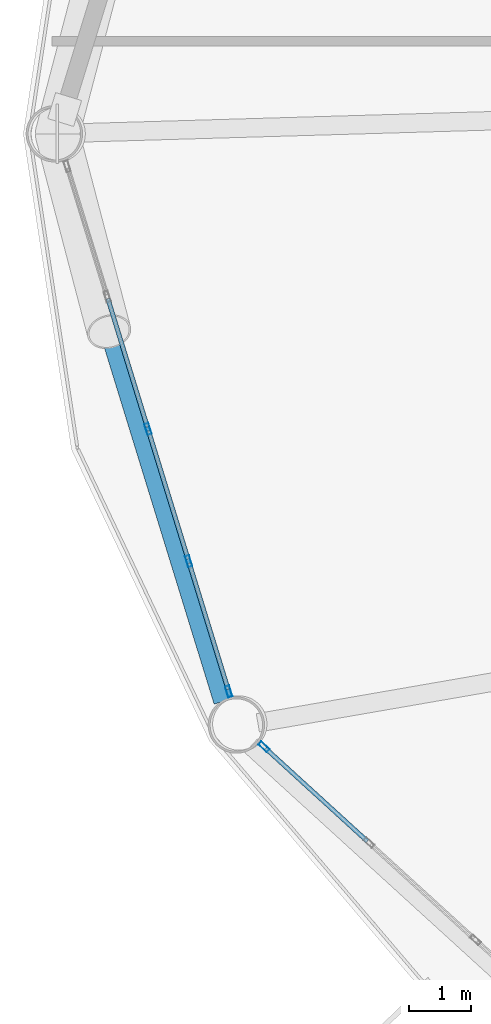
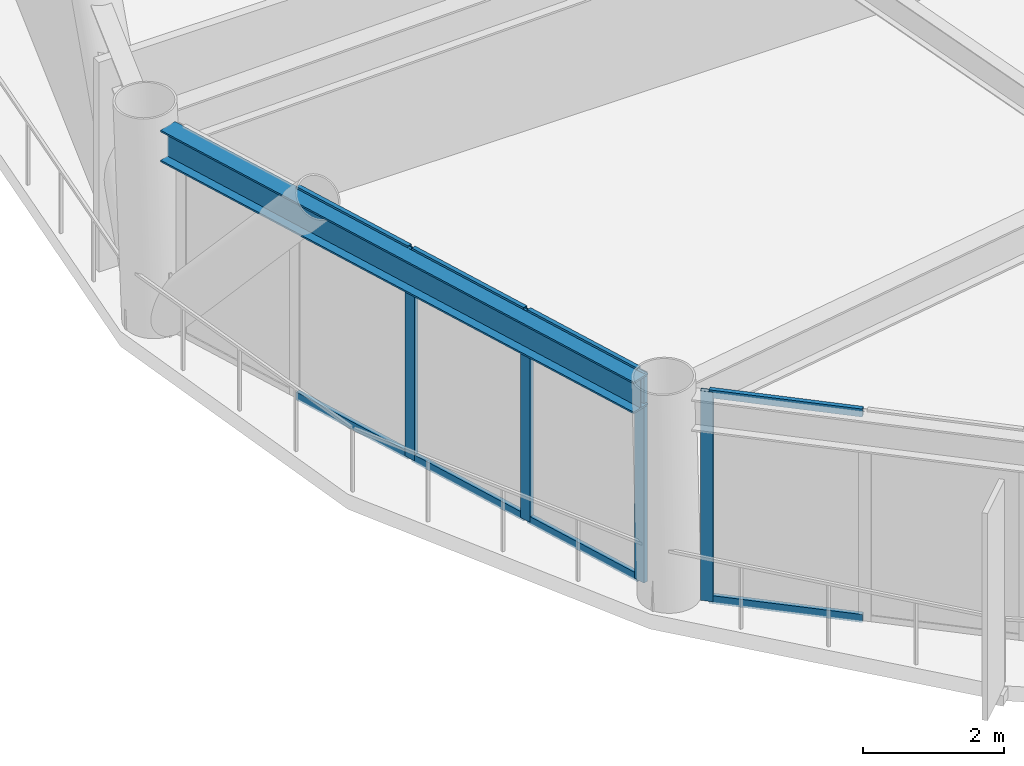
# One storey, part 5 of 26: 12 members, 1 beam, 2 elements without a shape of their own.
"""IFC4 building model written with IfcOpenShell, lengths in metres."""

import ifcopenshell
import ifcopenshell.guid

model = None  # the IFC model being written
_history = None  # IfcOwnerHistory: only IFC2X3 demands one
_inside = {}  # id of a spatial element -> (the spatial element, [elements in it])
_under = {}  # id of a project, library or spatial element -> (it, [spatial elements below it])
_declared = {}  # id of a project -> (the project, [libraries it declares])
_typed = {}  # id of a type object -> (the type object, [elements of that type])
_made_of = {}  # id of a material, layer set ... -> (it, [elements and type objects made of it])


def new_model(schema):
    """Start an empty IFC model of exactly this schema.

    Asked for "IFC4X3", IfcOpenShell would pick the latest addendum, in which some entities
    have other attributes; the version numbers below select the first issue.
    IFC2X3 requires an IfcOwnerHistory on every rooted entity: one is made here for all.
    """
    global model, _history
    if schema == "IFC4X3":
        model = ifcopenshell.file(schema_version=(4, 3, 0, 0))
    else:
        model = ifcopenshell.file(schema=schema)
    _inside.clear()
    _under.clear()
    _declared.clear()
    _typed.clear()
    _made_of.clear()
    _history = None
    if model.schema == "IFC2X3":
        org = make("IfcOrganization", Name="unknown")
        user = make(
            "IfcPersonAndOrganization",
            ThePerson=make("IfcPerson", FamilyName="unknown"),
            TheOrganization=org,
        )
        app = make(
            "IfcApplication",
            ApplicationDeveloper=org,
            Version="unknown",
            ApplicationFullName="unknown",
            ApplicationIdentifier="unknown",
        )
        _history = make(
            "IfcOwnerHistory",
            OwningUser=user,
            OwningApplication=app,
            ChangeAction="ADDED",
            CreationDate=0,
        )
    return model


def make(cls, **values):
    """One entity of the class cls with the attributes given. An attribute that is None is left unset."""
    return model.create_entity(
        cls, **{name: value for name, value in values.items() if value is not None}
    )


def rooted(cls, **values):
    """An entity with a GlobalId (a new one), such as an element, a storey or a relation."""
    return make(cls, GlobalId=ifcopenshell.guid.new(), OwnerHistory=_history, **values)


def si_unit(unit_type, name, prefix=None):
    """IfcSIUnit, for example si_unit("LENGTHUNIT", "METRE", prefix="MILLI")."""
    return make("IfcSIUnit", UnitType=unit_type, Prefix=prefix, Name=name)


def assignment(units):
    """IfcUnitAssignment: the units of a project."""
    return None if units is None else make("IfcUnitAssignment", Units=units)


def point(xyz):
    """IfcCartesianPoint."""
    return None if xyz is None else make("IfcCartesianPoint", Coordinates=xyz)


def direction(xyz):
    """IfcDirection."""
    return None if xyz is None else make("IfcDirection", DirectionRatios=xyz)


def frame(location, z_axis=None, x_axis=None):
    """IfcAxis2Placement3D, a coordinate frame: its origin and axes. An axis left out is left unset."""
    return make(
        "IfcAxis2Placement3D",
        Location=point(location),
        Axis=direction(z_axis),
        RefDirection=direction(x_axis),
    )


def frame_2d(location, x_axis=None):
    """IfcAxis2Placement2D, a coordinate frame in the plane: its origin and x axis."""
    return make(
        "IfcAxis2Placement2D", Location=point(location), RefDirection=direction(x_axis)
    )


def origin():
    """The frame at (0, 0, 0) with its axes left unset."""
    return frame((0.0, 0.0, 0.0))


def origin_2d():
    """The frame at (0, 0) in the plane with its x axis left unset."""
    return frame_2d((0.0, 0.0))


def place(relative_to, where):
    """IfcLocalPlacement: puts the frame where relative to a parent placement (None: the world)."""
    return make(
        "IfcLocalPlacement", PlacementRelTo=relative_to, RelativePlacement=where
    )


def context(
    kind, dimensions, precision=None, world=None, true_north=None, identifier=None
):
    """IfcGeometricRepresentationContext, for example the 3D "Model" context."""
    return make(
        "IfcGeometricRepresentationContext",
        ContextIdentifier=identifier,
        ContextType=kind,
        CoordinateSpaceDimension=dimensions,
        Precision=precision,
        WorldCoordinateSystem=world,
        TrueNorth=true_north,
    )


def subcontext(parent, identifier, kind, view, scale=None):
    """IfcGeometricRepresentationSubContext, for example "Body" below "Model"."""
    return make(
        "IfcGeometricRepresentationSubContext",
        ContextIdentifier=identifier,
        ContextType=kind,
        ParentContext=parent,
        TargetScale=scale,
        TargetView=view,
    )


def project(units=None, contexts=None):
    """IfcProject with its units and contexts."""
    return rooted(
        "IfcProject",
        Name="project",
        RepresentationContexts=contexts,
        UnitsInContext=assignment(units),
    )


def spatial(cls, under=None, at=None, **own):
    """A site, building, storey or space (cls), placed at a placement, below another one or the project."""
    s = rooted(cls, ObjectPlacement=at, **own)
    if under is not None:
        _under.setdefault(under.id(), (under, []))[1].append(s)
    return s


def profile(cls, at=None, kind="AREA", **sizes):
    """A parametric profile (cls). Its sizes go by their IFC names, for example OverallWidth=200.0."""
    return make(cls, ProfileType=kind, Position=at, **sizes)


def hollow_rectangle(**sizes):
    """IfcRectangleHollowProfileDef."""
    return profile("IfcRectangleHollowProfileDef", **sizes)


def i_section(**sizes):
    """IfcIShapeProfileDef."""
    return profile("IfcIShapeProfileDef", **sizes)


def extrude(swept, where, along, depth):
    """IfcExtrudedAreaSolid: the profile swept, set in the frame where, extruded along a direction by depth."""
    return make(
        "IfcExtrudedAreaSolid",
        SweptArea=swept,
        Position=where,
        ExtrudedDirection=direction(along),
        Depth=depth,
    )


def shape(context_of_items, identifier, shape_type, items):
    """IfcShapeRepresentation: the items that make up one representation, for example the "Body"."""
    return make(
        "IfcShapeRepresentation",
        ContextOfItems=context_of_items,
        RepresentationIdentifier=identifier,
        RepresentationType=shape_type,
        Items=items,
    )


def material(Name=None, Category=None):
    """IfcMaterial."""
    return make("IfcMaterial", Name=Name, Category=Category)


def layer(
    of_material, thickness, ventilated=None, Name=None, Category=None, Priority=None
):
    """IfcMaterialLayer: one layer of a wall or slab, of a material (None: an air gap)."""
    return make(
        "IfcMaterialLayer",
        Material=of_material,
        LayerThickness=thickness,
        IsVentilated=ventilated,
        Name=Name,
        Category=Category,
        Priority=Priority,
    )


def layer_set(layers, Name=None):
    """IfcMaterialLayerSet."""
    return make("IfcMaterialLayerSet", MaterialLayers=layers, LayerSetName=Name)


def material_profile(
    of_material, cross_section, Name=None, Category=None, Priority=None
):
    """IfcMaterialProfile: a cross section and its material."""
    return make(
        "IfcMaterialProfile",
        Name=Name,
        Material=of_material,
        Profile=cross_section,
        Priority=Priority,
        Category=Category,
    )


def profile_set(profiles, Name=None, composite=None):
    """IfcMaterialProfileSet."""
    return make(
        "IfcMaterialProfileSet",
        Name=Name,
        MaterialProfiles=profiles,
        CompositeProfile=composite,
    )


def made_of(thing, what):
    """Note that an element or type object is made of a material, layer set ...; save() writes the relation."""
    if what is not None:
        _made_of.setdefault(what.id(), (what, []))[1].append(thing)
    return thing


def type_object(cls, material=None, **own):
    """A type object (cls), such as IfcWallType, which elements share."""
    return made_of(rooted(cls, **own), material)


def element(
    cls,
    number,
    at=None,
    inside=None,
    cuts=None,
    type_object=None,
    material=None,
    context=None,
    identifier="Body",
    shape_type=None,
    held_by="IfcProductDefinitionShape",
    body=None,
    shapes=None,
    **own,
):
    """One element of the class cls, such as IfcWall. Its Tag is "e" and its number.

    at: its placement. inside: the storey or other place that contains it. cuts: it is an
    opening in that element (IfcRelVoidsElement). A single representation is given by context,
    identifier, shape_type and body (its items); several are given by shapes. held_by: the class
    of the entity that holds the representations. save() writes the other relations.
    """
    e = rooted(cls, Tag="e%d" % number, ObjectPlacement=at, **own)
    if body is not None:
        shapes = [shape(context, identifier, shape_type, body)]
    if shapes is not None:
        e.Representation = make(held_by, Representations=shapes)
    if inside is not None:
        _inside.setdefault(inside.id(), (inside, []))[1].append(e)
    if cuts is not None:
        rooted(
            "IfcRelVoidsElement", RelatingBuildingElement=cuts, RelatedOpeningElement=e
        )
    if type_object is not None:
        _typed.setdefault(type_object.id(), (type_object, []))[1].append(e)
    return made_of(e, material)


def aggregate(whole, parts):
    """IfcRelAggregates: a whole, such as a stair, and the parts it consists of."""
    return rooted("IfcRelAggregates", RelatingObject=whole, RelatedObjects=parts)


def save(model, path):
    """Write the relations noted so far, then the file.

    IfcRelAggregates (storeys below a building ...), IfcRelContainedInSpatialStructure (elements
    in a storey), IfcRelDefinesByType, IfcRelAssociatesMaterial and IfcRelDeclares: one each for
    every whole, place, type object, material and project.
    """
    for whole, parts in _under.values():
        aggregate(whole, parts)
    for where, things in _inside.values():
        rooted(
            "IfcRelContainedInSpatialStructure",
            RelatedElements=things,
            RelatingStructure=where,
        )
    for kind, things in _typed.values():
        rooted("IfcRelDefinesByType", RelatedObjects=things, RelatingType=kind)
    for what, things in _made_of.values():
        rooted("IfcRelAssociatesMaterial", RelatedObjects=things, RelatingMaterial=what)
    for by, libraries in _declared.values():
        rooted("IfcRelDeclares", RelatingContext=by, RelatedDefinitions=libraries)
    model.write(path)


model = new_model("IFC4")

# Units and contexts
model_context = context("Model", 3, precision=1e-05, world=origin(), true_north=direction((0.0, 1.0)))
body_context = subcontext(model_context, "Body", "Model", "MODEL_VIEW")
ifc_project = project(units=[si_unit("LENGTHUNIT", "METRE"), si_unit("AREAUNIT", "SQUARE_METRE"), si_unit("VOLUMEUNIT", "CUBIC_METRE"), si_unit("PLANEANGLEUNIT", "RADIAN"), si_unit("MASSUNIT", "GRAM", prefix="KILO")], contexts=[model_context])

# Site, building, storey
site_placement = place(None, origin())
site = spatial("IfcSite", under=ifc_project, at=site_placement, CompositionType="ELEMENT")
building_placement = place(site_placement, origin())
building = spatial("IfcBuilding", under=site, at=building_placement, Name="Varnakorn Sky Granary", CompositionType="ELEMENT")
storey_placement = place(building_placement, frame((0.0, 0.0, 51.0)))
storey = spatial("IfcBuildingStorey", under=building, at=storey_placement, Name="L12", CompositionType="ELEMENT", Elevation=51.0)

# Beam
ifc_material_1 = material(Name="Steel S355JR", Category="steel")
ifc_material_profile_1 = material_profile(ifc_material_1, i_section(OverallWidth=0.300048828125, OverallDepth=0.550048828125, WebThickness=0.014892578125, FlangeThickness=0.029052734375, at=origin_2d()), Name="HE 550 B")
ifc_profile_set_1 = profile_set([ifc_material_profile_1], Name="Steel S355JR")
beam_type = type_object("IfcBeamType", Name="BM-SPD-Z1", PredefinedType="SPANDREL", material=ifc_profile_set_1)
beam_placement = place(storey_placement, frame((-22.623779296875, -0.42236328125, 3.364990234375), z_axis=(0.294302432342, -0.955712340779, 0.0), x_axis=(0.955712340779, 0.294302432342, 0.0)))
element("IfcBeam", 1, at=beam_placement, inside=storey, type_object=beam_type, Name="Perimeter Spandrel Ring Beam RB07 L12", PredefinedType="SPANDREL", context=body_context, shape_type="SweptSolid", body=[
    extrude(i_section(OverallWidth=0.300048828125, OverallDepth=0.550048828125, WebThickness=0.014892578125, FlangeThickness=0.029052734375, at=origin_2d()), origin(), (0.0, 0.0, 1.0), 9.188232421875),
])

# Curtain wall, members
ifc_material_2 = material(Name="Anodised Bronze Aluminium Alloy 6063-T6", Category="aluminium")
ifc_layer = layer(ifc_material_2, 0.18994140625, Name="Anodised Bronze Aluminium Alloy 6063-T6")
ifc_layer_set = layer_set([ifc_layer], Name="Anodised Bronze Aluminium Alloy 6063-T6")
curtain_wall_type = type_object("IfcCurtainWallType", Name="CW-FRM-1", PredefinedType="USERDEFINED", material=ifc_layer_set)
curtain_wall_1_placement = place(storey_placement, origin())
curtain_wall_1 = element("IfcCurtainWall", 2, at=curtain_wall_1_placement, inside=storey, type_object=curtain_wall_type, Name="Unitised Curtain Wall CW3 CW-L12-B07", ObjectType="CURTAIN WALL", PredefinedType="USERDEFINED")
ifc_material_profile_2 = material_profile(ifc_material_2, hollow_rectangle(XDim=0.070068359375, YDim=0.18505859375, WallThickness=0.00390625, at=origin_2d()), Name="ALU MULL 70x185")
ifc_profile_set_2 = profile_set([ifc_material_profile_2], Name="Anodised Bronze Aluminium Alloy 6063-T6")
member_type_1 = type_object("IfcMemberType", Name="CW-FRM-1-MULL", PredefinedType="MULLION", material=ifc_profile_set_2)
member_1_placement = place(storey_placement, frame((-19.82568359375, -9.04150390625, 0.0), z_axis=(0.0, 0.0, 1.0), x_axis=(-0.955767929805, -0.294121852906, 0.0)))
member_1 = element("IfcMember", 3, at=member_1_placement, type_object=member_type_1, Name="CW3 mullion 1", PredefinedType="MULLION", context=body_context, shape_type="SweptSolid", body=[
    extrude(hollow_rectangle(XDim=0.070068359375, YDim=0.18505859375, WallThickness=0.00390625, at=origin_2d()), origin(), (0.0, 0.0, 1.0), 3.639892578125),
])
member_2_placement = place(storey_placement, frame((-20.475341796875, -6.9296875, 0.0), z_axis=(0.0, 0.0, 1.0), x_axis=(-0.955767929805, -0.294121852906, 0.0)))
member_2 = element("IfcMember", 4, at=member_2_placement, type_object=member_type_1, Name="CW3 mullion 2", PredefinedType="MULLION", context=body_context, shape_type="SweptSolid", body=[
    extrude(hollow_rectangle(XDim=0.070068359375, YDim=0.18505859375, WallThickness=0.00390625, at=origin_2d()), origin(), (0.0, 0.0, 1.0), 3.639892578125),
])
member_3_placement = place(storey_placement, frame((-21.135498046875, -4.784423828125, 0.0), z_axis=(0.0, 0.0, 1.0), x_axis=(-0.955767929805, -0.294121852906, 0.0)))
member_3 = element("IfcMember", 5, at=member_3_placement, type_object=member_type_1, Name="CW3 mullion 3", PredefinedType="MULLION", context=body_context, shape_type="SweptSolid", body=[
    extrude(hollow_rectangle(XDim=0.070068359375, YDim=0.18505859375, WallThickness=0.00390625, at=origin_2d()), origin(), (0.0, 0.0, 1.0), 3.639892578125),
])

# Curtain wall, member
curtain_wall_2_placement = place(storey_placement, origin())
curtain_wall_2 = element("IfcCurtainWall", 6, at=curtain_wall_2_placement, inside=storey, type_object=curtain_wall_type, Name="Unitised Curtain Wall CW3 CW-L12-B08", ObjectType="CURTAIN WALL", PredefinedType="USERDEFINED")
member_4_placement = place(storey_placement, frame((-19.25537109375, -9.941162109375, 0.0), z_axis=(0.0, 0.0, 1.0), x_axis=(-0.674049155123, -0.73868649404, 0.0)))
member_4 = element("IfcMember", 7, at=member_4_placement, type_object=member_type_1, Name="CW3 mullion 5", PredefinedType="MULLION", context=body_context, shape_type="SweptSolid", body=[
    extrude(hollow_rectangle(XDim=0.070068359375, YDim=0.18505859375, WallThickness=0.00390625, at=origin_2d()), origin(), (0.0, 0.0, 1.0), 3.639892578125),
])

# Member
ifc_material_profile_3 = material_profile(ifc_material_2, hollow_rectangle(XDim=0.070068359375, YDim=0.139892578125, WallThickness=0.00341796875, at=origin_2d()), Name="ALU TRAN 70x140")
ifc_profile_set_3 = profile_set([ifc_material_profile_3], Name="Anodised Bronze Aluminium Alloy 6063-T6")
member_type_2 = type_object("IfcMemberType", Name="CW-FRM-1-TRAN", PredefinedType="USERDEFINED", material=ifc_profile_set_3)
member_5_placement = place(storey_placement, frame((-19.8359375, -9.008056640625, 0.034912109375), z_axis=(-0.294061793096, 0.955786410157, 0.0), x_axis=(-0.955786410157, -0.294061793096, 0.0)))
member_5 = element("IfcMember", 8, at=member_5_placement, type_object=member_type_2, Name="CW3 transom 1.1", ObjectType="TRANSOM", PredefinedType="USERDEFINED", context=body_context, shape_type="SweptSolid", body=[
    extrude(hollow_rectangle(XDim=0.070068359375, YDim=0.139892578125, WallThickness=0.00341796875, at=origin_2d()), origin(), (0.0, 0.0, 1.0), 2.139404296875),
])

member_6_placement = place(storey_placement, frame((-19.8359375, -9.008056640625, 3.60498046875), z_axis=(-0.294061793096, 0.955786410157, 0.0), x_axis=(-0.955786410157, -0.294061793096, 0.0)))
member_6 = element("IfcMember", 9, at=member_6_placement, type_object=member_type_2, Name="CW3 transom 1.2", ObjectType="TRANSOM", PredefinedType="USERDEFINED", context=body_context, shape_type="SweptSolid", body=[
    extrude(hollow_rectangle(XDim=0.070068359375, YDim=0.139892578125, WallThickness=0.00341796875, at=origin_2d()), origin(), (0.0, 0.0, 1.0), 2.139404296875),
])

member_7_placement = place(storey_placement, frame((-20.48583984375, -6.896240234375, 0.034912109375), z_axis=(-0.294046400859, 0.95579114567, 0.0), x_axis=(-0.95579114567, -0.294046400859, 0.0)))
member_7 = element("IfcMember", 10, at=member_7_placement, type_object=member_type_2, Name="CW3 transom 2.1", ObjectType="TRANSOM", PredefinedType="USERDEFINED", context=body_context, shape_type="SweptSolid", body=[
    extrude(hollow_rectangle(XDim=0.070068359375, YDim=0.139892578125, WallThickness=0.00341796875, at=origin_2d()), origin(), (0.0, 0.0, 1.0), 2.174560546875),
])

member_8_placement = place(storey_placement, frame((-20.48583984375, -6.896240234375, 3.60498046875), z_axis=(-0.294046400859, 0.95579114567, 0.0), x_axis=(-0.95579114567, -0.294046400859, 0.0)))
member_8 = element("IfcMember", 11, at=member_8_placement, type_object=member_type_2, Name="CW3 transom 2.2", ObjectType="TRANSOM", PredefinedType="USERDEFINED", context=body_context, shape_type="SweptSolid", body=[
    extrude(hollow_rectangle(XDim=0.070068359375, YDim=0.139892578125, WallThickness=0.00341796875, at=origin_2d()), origin(), (0.0, 0.0, 1.0), 2.174560546875),
])

member_9_placement = place(storey_placement, frame((-21.14599609375, -4.7509765625, 0.034912109375), z_axis=(-0.294077958435, 0.955781436502, 0.0), x_axis=(-0.955781436502, -0.294077958435, 0.0)))
member_9 = element("IfcMember", 12, at=member_9_placement, type_object=member_type_2, Name="CW3 transom 3.1", ObjectType="TRANSOM", PredefinedType="USERDEFINED", context=body_context, shape_type="SweptSolid", body=[
    extrude(hollow_rectangle(XDim=0.070068359375, YDim=0.139892578125, WallThickness=0.00341796875, at=origin_2d()), origin(), (0.0, 0.0, 1.0), 2.17431640625),
])

member_10_placement = place(storey_placement, frame((-21.14599609375, -4.7509765625, 3.60498046875), z_axis=(-0.294077958435, 0.955781436502, 0.0), x_axis=(-0.955781436502, -0.294077958435, 0.0)))
member_10 = element("IfcMember", 13, at=member_10_placement, type_object=member_type_2, Name="CW3 transom 3.2", ObjectType="TRANSOM", PredefinedType="USERDEFINED", context=body_context, shape_type="SweptSolid", body=[
    extrude(hollow_rectangle(XDim=0.070068359375, YDim=0.139892578125, WallThickness=0.00341796875, at=origin_2d()), origin(), (0.0, 0.0, 1.0), 2.17431640625),
])

aggregate(curtain_wall_1, [member_1, member_2, member_3, member_5, member_6, member_7, member_8, member_9, member_10])

member_11_placement = place(storey_placement, frame((-17.578857421875, -11.470947265625, 0.034912109375), z_axis=(-0.738653403881, 0.674085416646, 0.0), x_axis=(-0.674085416646, -0.738653403881, 0.0)))
member_11 = element("IfcMember", 14, at=member_11_placement, type_object=member_type_2, Name="CW3 transom 4.1", ObjectType="TRANSOM", PredefinedType="USERDEFINED", context=body_context, shape_type="SweptSolid", body=[
    extrude(hollow_rectangle(XDim=0.070068359375, YDim=0.139892578125, WallThickness=0.00341796875, at=origin_2d()), origin(), (0.0, 0.0, 1.0), 2.234619140625),
])

member_12_placement = place(storey_placement, frame((-17.578857421875, -11.470947265625, 3.60498046875), z_axis=(-0.738653403881, 0.674085416646, 0.0), x_axis=(-0.674085416646, -0.738653403881, 0.0)))
member_12 = element("IfcMember", 15, at=member_12_placement, type_object=member_type_2, Name="CW3 transom 4.2", ObjectType="TRANSOM", PredefinedType="USERDEFINED", context=body_context, shape_type="SweptSolid", body=[
    extrude(hollow_rectangle(XDim=0.070068359375, YDim=0.139892578125, WallThickness=0.00341796875, at=origin_2d()), origin(), (0.0, 0.0, 1.0), 2.234619140625),
])

aggregate(curtain_wall_2, [member_4, member_11, member_12])

save(model, "model.ifc")
